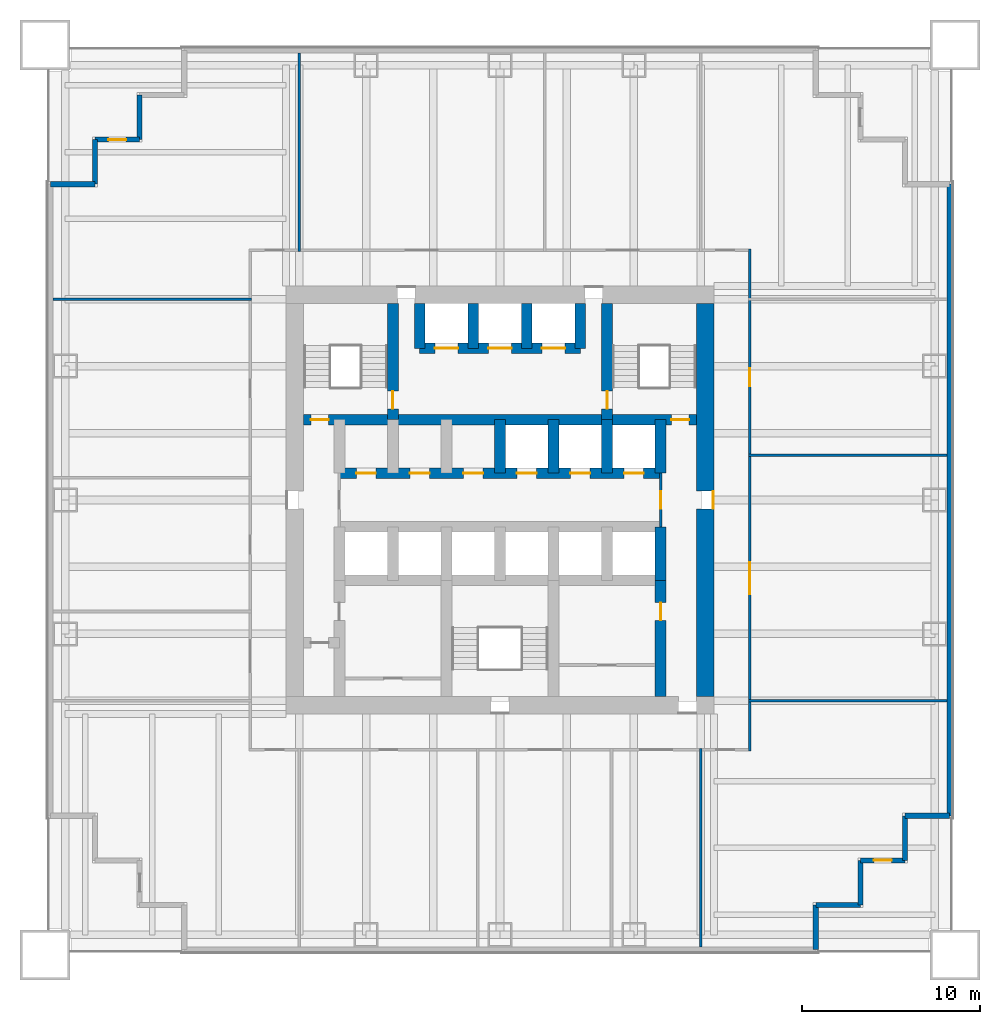
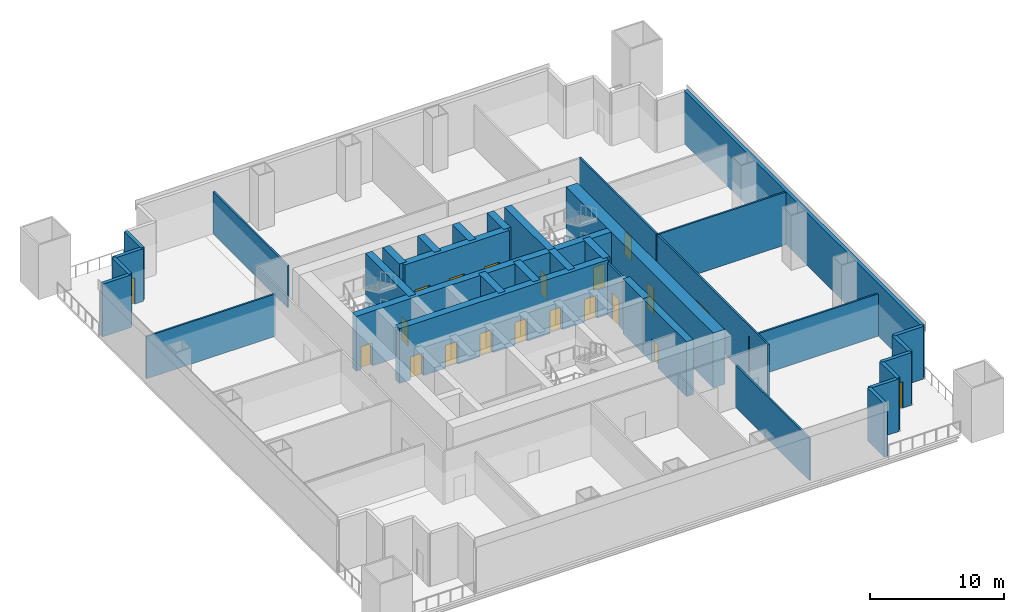
# One storey, part 3 of 6: 34 walls, 20 doors, 20 openings.
"""IFC4 building model written with IfcOpenShell, lengths in metres."""

from ifc_helpers import new_model, si_unit, direction, frame, frame_2d, origin, place, context, subcontext, project, spatial, rectangle, extrude, material, layer, layer_set, type_object, element, fill, save


model = new_model("IFC4")

# Units and contexts
model_context = context("Model", 3, precision=1e-05, world=origin(), true_north=direction((0.0, 1.0)))
body_context = subcontext(model_context, "Body", "Model", "MODEL_VIEW")
ifc_project = project(units=[si_unit("LENGTHUNIT", "METRE"), si_unit("AREAUNIT", "SQUARE_METRE"), si_unit("VOLUMEUNIT", "CUBIC_METRE"), si_unit("PLANEANGLEUNIT", "RADIAN"), si_unit("MASSUNIT", "GRAM", prefix="KILO")], contexts=[model_context])

# Site, building, storey
site_placement = place(None, origin())
site = spatial("IfcSite", under=ifc_project, at=site_placement, CompositionType="ELEMENT")
building_placement = place(site_placement, origin())
building = spatial("IfcBuilding", under=site, at=building_placement, Name="Tarangal Relay Tower", CompositionType="ELEMENT")
storey_placement = place(building_placement, frame((0.0, 0.0, 28.39990234375)))
storey = spatial("IfcBuildingStorey", under=building, at=storey_placement, Name="L05", CompositionType="ELEMENT", Elevation=28.39990234375)

# Wall, openings, doors
ifc_material_1 = material(Name="Concrete fc' 60 MPa", Category="concrete")
ifc_layer_1 = layer(ifc_material_1, 0.60009765625)
ifc_layer_set_1 = layer_set([ifc_layer_1], Name="Core inner wall 600")
wall_type_1 = type_object("IfcWallType", Name="Core inner wall 600", PredefinedType="SHEAR", material=ifc_layer_set_1)
wall_1_placement = place(storey_placement, frame((-11.0, 4.5, 0.0), z_axis=(0.0, 0.0, 1.0), x_axis=(1.0, 0.0, 0.0)))
wall_1 = element("IfcWall", 1, at=wall_1_placement, inside=storey, type_object=wall_type_1, Name="Core wall Y45 L05", PredefinedType="SHEAR", context=body_context, shape_type="SweptSolid", body=[
    extrude(rectangle(XDim=22.0, YDim=0.60009765625, at=frame_2d((11.0, 0.0))), origin(), (0.0, 0.0, 1.0), 5.0),
])
opening_1_placement = place(wall_1_placement, frame((0.39990234375, 0.0, 0.0)))
opening_1 = element("IfcOpeningElement", 2, at=opening_1_placement, cuts=wall_1, Name="Opening FD1", PredefinedType="OPENING", context=body_context, shape_type="SweptSolid", body=[
    extrude(rectangle(XDim=1.0, YDim=2.10009765625, at=frame_2d((0.5, 1.050048828125))), frame((0.0, 0.31005859375, 0.0), z_axis=(0.0, -1.0, 0.0), x_axis=(1.0, 0.0, 0.0)), (0.0, 0.0, 1.0), 0.6201171875),
])
opening_2_placement = place(wall_1_placement, frame((20.60009765625, 0.0, 0.0)))
opening_2 = element("IfcOpeningElement", 3, at=opening_2_placement, cuts=wall_1, Name="Opening FD1", PredefinedType="OPENING", context=body_context, shape_type="SweptSolid", body=[
    extrude(rectangle(XDim=1.0, YDim=2.10009765625, at=frame_2d((0.5, 1.050048828125))), frame((0.0, 0.31005859375, 0.0), z_axis=(0.0, -1.0, 0.0), x_axis=(1.0, 0.0, 0.0)), (0.0, 0.0, 1.0), 0.6201171875),
])
ifc_material_2 = material(Name="Steel door with hardwood frame", Category="steel")
door_type_1 = type_object("IfcDoorType", Name="Fire door 1000 x 2100", OperationType="SINGLE_SWING_LEFT", PredefinedType="DOOR", material=ifc_material_2)
door_1_placement = place(opening_1_placement, origin())
door_1 = element("IfcDoor", 4, at=door_1_placement, inside=storey, type_object=door_type_1, Name="Stair ST-A door from corridor L05", OperationType="SINGLE_SWING_LEFT", OverallHeight=2.10009765625, OverallWidth=1.0, PredefinedType="DOOR", context=body_context, shape_type="SweptSolid", body=[
    extrude(rectangle(XDim=1.0, YDim=2.10009765625, at=frame_2d((0.5, 1.050048828125))), frame((0.0, 0.02490234375, 0.0), z_axis=(0.0, -1.0, 0.0), x_axis=(1.0, 0.0, 0.0)), (0.0, 0.0, 1.0), 0.050048828125),
])
fill(opening_1, door_1)
door_2_placement = place(opening_2_placement, origin())
door_2 = element("IfcDoor", 5, at=door_2_placement, inside=storey, type_object=door_type_1, Name="Stair ST-B door from corridor L05", OperationType="SINGLE_SWING_LEFT", OverallHeight=2.10009765625, OverallWidth=1.0, PredefinedType="DOOR", context=body_context, shape_type="SweptSolid", body=[
    extrude(rectangle(XDim=1.0, YDim=2.10009765625, at=frame_2d((0.5, 1.050048828125))), frame((0.0, 0.02490234375, 0.0), z_axis=(0.0, -1.0, 0.0), x_axis=(1.0, 0.0, 0.0)), (0.0, 0.0, 1.0), 0.050048828125),
])
fill(opening_2, door_2)

wall_2_placement = place(storey_placement, frame((-9.0, 1.5, 0.0), z_axis=(0.0, 0.0, 1.0), x_axis=(1.0, 0.0, 0.0)))
wall_2 = element("IfcWall", 6, at=wall_2_placement, inside=storey, type_object=wall_type_1, Name="Core wall Y15 L05", PredefinedType="SHEAR", context=body_context, shape_type="SweptSolid", body=[
    extrude(rectangle(XDim=18.0, YDim=0.60009765625, at=frame_2d((9.0, 0.0))), origin(), (0.0, 0.0, 1.0), 5.0),
])
opening_3_placement = place(wall_2_placement, frame((9.949951171875, 0.0, 0.0)))
opening_3 = element("IfcOpeningElement", 7, at=opening_3_placement, cuts=wall_2, Name="Opening LD1", PredefinedType="OPENING", context=body_context, shape_type="SweptSolid", body=[
    extrude(rectangle(XDim=1.10009765625, YDim=2.10009765625, at=frame_2d((0.550048828125, 1.050048828125))), frame((0.0, 0.31005859375, 0.0), z_axis=(0.0, -1.0, 0.0), x_axis=(1.0, 0.0, 0.0)), (0.0, 0.0, 1.0), 0.6201171875),
])
opening_4_placement = place(wall_2_placement, frame((12.949951171875, 0.0, 0.0)))
opening_4 = element("IfcOpeningElement", 8, at=opening_4_placement, cuts=wall_2, Name="Opening LD1", PredefinedType="OPENING", context=body_context, shape_type="SweptSolid", body=[
    extrude(rectangle(XDim=1.10009765625, YDim=2.10009765625, at=frame_2d((0.550048828125, 1.050048828125))), frame((0.0, 0.31005859375, 0.0), z_axis=(0.0, -1.0, 0.0), x_axis=(1.0, 0.0, 0.0)), (0.0, 0.0, 1.0), 0.6201171875),
])
opening_5_placement = place(wall_2_placement, frame((15.949951171875, 0.0, 0.0)))
opening_5 = element("IfcOpeningElement", 9, at=opening_5_placement, cuts=wall_2, Name="Opening LD1", PredefinedType="OPENING", context=body_context, shape_type="SweptSolid", body=[
    extrude(rectangle(XDim=1.10009765625, YDim=2.10009765625, at=frame_2d((0.550048828125, 1.050048828125))), frame((0.0, 0.31005859375, 0.0), z_axis=(0.0, -1.0, 0.0), x_axis=(1.0, 0.0, 0.0)), (0.0, 0.0, 1.0), 0.6201171875),
])
opening_6_placement = place(wall_2_placement, frame((0.949951171875, 0.0, 0.0)))
opening_6 = element("IfcOpeningElement", 10, at=opening_6_placement, cuts=wall_2, Name="Opening D4", PredefinedType="OPENING", context=body_context, shape_type="SweptSolid", body=[
    extrude(rectangle(XDim=1.10009765625, YDim=2.10009765625, at=frame_2d((0.550048828125, 1.050048828125))), frame((0.0, 0.31005859375, 0.0), z_axis=(0.0, -1.0, 0.0), x_axis=(1.0, 0.0, 0.0)), (0.0, 0.0, 1.0), 0.6201171875),
])
opening_7_placement = place(wall_2_placement, frame((3.949951171875, 0.0, 0.0)))
opening_7 = element("IfcOpeningElement", 11, at=opening_7_placement, cuts=wall_2, Name="Opening D4", PredefinedType="OPENING", context=body_context, shape_type="SweptSolid", body=[
    extrude(rectangle(XDim=1.10009765625, YDim=2.10009765625, at=frame_2d((0.550048828125, 1.050048828125))), frame((0.0, 0.31005859375, 0.0), z_axis=(0.0, -1.0, 0.0), x_axis=(1.0, 0.0, 0.0)), (0.0, 0.0, 1.0), 0.6201171875),
])
opening_8_placement = place(wall_2_placement, frame((6.949951171875, 0.0, 0.0)))
opening_8 = element("IfcOpeningElement", 12, at=opening_8_placement, cuts=wall_2, Name="Opening D4", PredefinedType="OPENING", context=body_context, shape_type="SweptSolid", body=[
    extrude(rectangle(XDim=1.10009765625, YDim=2.10009765625, at=frame_2d((0.550048828125, 1.050048828125))), frame((0.0, 0.31005859375, 0.0), z_axis=(0.0, -1.0, 0.0), x_axis=(1.0, 0.0, 0.0)), (0.0, 0.0, 1.0), 0.6201171875),
])
door_type_2 = type_object("IfcDoorType", Name="Core room door 1100 x 2100", OperationType="SINGLE_SWING_RIGHT", PredefinedType="DOOR", material=ifc_material_2)
door_3_placement = place(opening_6_placement, origin())
door_3 = element("IfcDoor", 13, at=door_3_placement, inside=storey, type_object=door_type_2, Name="Door D4 to cleaner's store L05-D1", OperationType="SINGLE_SWING_RIGHT", OverallHeight=2.10009765625, OverallWidth=1.10009765625, PredefinedType="DOOR", context=body_context, shape_type="SweptSolid", body=[
    extrude(rectangle(XDim=1.10009765625, YDim=2.10009765625, at=frame_2d((0.550048828125, 1.050048828125))), frame((0.0, 0.02490234375, 0.0), z_axis=(0.0, -1.0, 0.0), x_axis=(1.0, 0.0, 0.0)), (0.0, 0.0, 1.0), 0.050048828125),
])
fill(opening_6, door_3)
door_4_placement = place(opening_7_placement, origin())
door_4 = element("IfcDoor", 14, at=door_4_placement, inside=storey, type_object=door_type_2, Name="Door D4 to it room L05-D2", OperationType="SINGLE_SWING_RIGHT", OverallHeight=2.10009765625, OverallWidth=1.10009765625, PredefinedType="DOOR", context=body_context, shape_type="SweptSolid", body=[
    extrude(rectangle(XDim=1.10009765625, YDim=2.10009765625, at=frame_2d((0.550048828125, 1.050048828125))), frame((0.0, 0.02490234375, 0.0), z_axis=(0.0, -1.0, 0.0), x_axis=(1.0, 0.0, 0.0)), (0.0, 0.0, 1.0), 0.050048828125),
])
fill(opening_7, door_4)
door_5_placement = place(opening_8_placement, origin())
door_5 = element("IfcDoor", 15, at=door_5_placement, inside=storey, type_object=door_type_2, Name="Door D4 to back-of-house plant room L05-D3", OperationType="SINGLE_SWING_RIGHT", OverallHeight=2.10009765625, OverallWidth=1.10009765625, PredefinedType="DOOR", context=body_context, shape_type="SweptSolid", body=[
    extrude(rectangle(XDim=1.10009765625, YDim=2.10009765625, at=frame_2d((0.550048828125, 1.050048828125))), frame((0.0, 0.02490234375, 0.0), z_axis=(0.0, -1.0, 0.0), x_axis=(1.0, 0.0, 0.0)), (0.0, 0.0, 1.0), 0.050048828125),
])
fill(opening_8, door_5)
door_type_3 = type_object("IfcDoorType", Name="Lift landing door 1100 x 2100", OperationType="SLIDING_TO_LEFT", PredefinedType="DOOR", material=ifc_material_2)
door_6_placement = place(opening_3_placement, origin())
door_6 = element("IfcDoor", 16, at=door_6_placement, inside=storey, type_object=door_type_3, Name="Lift T1 landing door L05", OperationType="SLIDING_TO_LEFT", OverallHeight=2.10009765625, OverallWidth=1.10009765625, PredefinedType="DOOR", context=body_context, shape_type="SweptSolid", body=[
    extrude(rectangle(XDim=1.10009765625, YDim=2.10009765625, at=frame_2d((0.550048828125, 1.050048828125))), frame((0.0, 0.02490234375, 0.0), z_axis=(0.0, -1.0, 0.0), x_axis=(1.0, 0.0, 0.0)), (0.0, 0.0, 1.0), 0.050048828125),
])
fill(opening_3, door_6)
door_7_placement = place(opening_4_placement, origin())
door_7 = element("IfcDoor", 17, at=door_7_placement, inside=storey, type_object=door_type_3, Name="Lift T2 landing door L05", OperationType="SLIDING_TO_LEFT", OverallHeight=2.10009765625, OverallWidth=1.10009765625, PredefinedType="DOOR", context=body_context, shape_type="SweptSolid", body=[
    extrude(rectangle(XDim=1.10009765625, YDim=2.10009765625, at=frame_2d((0.550048828125, 1.050048828125))), frame((0.0, 0.02490234375, 0.0), z_axis=(0.0, -1.0, 0.0), x_axis=(1.0, 0.0, 0.0)), (0.0, 0.0, 1.0), 0.050048828125),
])
fill(opening_4, door_7)
door_8_placement = place(opening_5_placement, origin())
door_8 = element("IfcDoor", 18, at=door_8_placement, inside=storey, type_object=door_type_3, Name="Lift T3 landing door L05", OperationType="SLIDING_TO_LEFT", OverallHeight=2.10009765625, OverallWidth=1.10009765625, PredefinedType="DOOR", context=body_context, shape_type="SweptSolid", body=[
    extrude(rectangle(XDim=1.10009765625, YDim=2.10009765625, at=frame_2d((0.550048828125, 1.050048828125))), frame((0.0, 0.02490234375, 0.0), z_axis=(0.0, -1.0, 0.0), x_axis=(1.0, 0.0, 0.0)), (0.0, 0.0, 1.0), 0.050048828125),
])
fill(opening_5, door_8)

wall_3_placement = place(storey_placement, frame((-4.5, 8.5, 0.0), z_axis=(0.0, 0.0, 1.0), x_axis=(1.0, 0.0, 0.0)))
wall_3 = element("IfcWall", 19, at=wall_3_placement, inside=storey, type_object=wall_type_1, Name="Core wall Y85 L05", PredefinedType="SHEAR", context=body_context, shape_type="SweptSolid", body=[
    extrude(rectangle(XDim=9.0, YDim=0.60009765625, at=frame_2d((4.5, 0.0))), origin(), (0.0, 0.0, 1.0), 5.0),
])
opening_9_placement = place(wall_3_placement, frame((0.85009765625, 0.0, 0.0)))
opening_9 = element("IfcOpeningElement", 20, at=opening_9_placement, cuts=wall_3, Name="Opening LD2", PredefinedType="OPENING", context=body_context, shape_type="SweptSolid", body=[
    extrude(rectangle(XDim=1.300048828125, YDim=2.39990234375, at=frame_2d((0.64990234375, 1.199951171875))), frame((0.0, 0.31005859375, 0.0), z_axis=(0.0, -1.0, 0.0), x_axis=(1.0, 0.0, 0.0)), (0.0, 0.0, 1.0), 0.6201171875),
])
opening_10_placement = place(wall_3_placement, frame((6.85009765625, 0.0, 0.0)))
opening_10 = element("IfcOpeningElement", 21, at=opening_10_placement, cuts=wall_3, Name="Opening LD2", PredefinedType="OPENING", context=body_context, shape_type="SweptSolid", body=[
    extrude(rectangle(XDim=1.300048828125, YDim=2.39990234375, at=frame_2d((0.64990234375, 1.199951171875))), frame((0.0, 0.31005859375, 0.0), z_axis=(0.0, -1.0, 0.0), x_axis=(1.0, 0.0, 0.0)), (0.0, 0.0, 1.0), 0.6201171875),
])
opening_11_placement = place(wall_3_placement, frame((3.85009765625, 0.0, 0.0)))
opening_11 = element("IfcOpeningElement", 22, at=opening_11_placement, cuts=wall_3, Name="Opening LD2", PredefinedType="OPENING", context=body_context, shape_type="SweptSolid", body=[
    extrude(rectangle(XDim=1.300048828125, YDim=2.39990234375, at=frame_2d((0.64990234375, 1.199951171875))), frame((0.0, 0.31005859375, 0.0), z_axis=(0.0, -1.0, 0.0), x_axis=(1.0, 0.0, 0.0)), (0.0, 0.0, 1.0), 0.6201171875),
])
door_type_4 = type_object("IfcDoorType", Name="Lift landing door 1300 x 2400", OperationType="SLIDING_TO_LEFT", PredefinedType="DOOR", material=ifc_material_2)
door_9_placement = place(opening_9_placement, origin())
door_9 = element("IfcDoor", 23, at=door_9_placement, inside=storey, type_object=door_type_4, Name="Lift FF1 landing door L05", OperationType="SLIDING_TO_LEFT", OverallHeight=2.39990234375, OverallWidth=1.300048828125, PredefinedType="DOOR", context=body_context, shape_type="SweptSolid", body=[
    extrude(rectangle(XDim=1.300048828125, YDim=2.39990234375, at=frame_2d((0.64990234375, 1.199951171875))), frame((0.0, 0.02490234375, 0.0), z_axis=(0.0, -1.0, 0.0), x_axis=(1.0, 0.0, 0.0)), (0.0, 0.0, 1.0), 0.050048828125),
])
fill(opening_9, door_9)
door_10_placement = place(opening_10_placement, origin())
door_10 = element("IfcDoor", 24, at=door_10_placement, inside=storey, type_object=door_type_4, Name="Lift FF2 landing door L05", OperationType="SLIDING_TO_LEFT", OverallHeight=2.39990234375, OverallWidth=1.300048828125, PredefinedType="DOOR", context=body_context, shape_type="SweptSolid", body=[
    extrude(rectangle(XDim=1.300048828125, YDim=2.39990234375, at=frame_2d((0.64990234375, 1.199951171875))), frame((0.0, 0.02490234375, 0.0), z_axis=(0.0, -1.0, 0.0), x_axis=(1.0, 0.0, 0.0)), (0.0, 0.0, 1.0), 0.050048828125),
])
fill(opening_10, door_10)
door_11_placement = place(opening_11_placement, origin())
door_11 = element("IfcDoor", 25, at=door_11_placement, inside=storey, type_object=door_type_4, Name="Lift SV1 landing door L05", OperationType="SLIDING_TO_LEFT", OverallHeight=2.39990234375, OverallWidth=1.300048828125, PredefinedType="DOOR", context=body_context, shape_type="SweptSolid", body=[
    extrude(rectangle(XDim=1.300048828125, YDim=2.39990234375, at=frame_2d((0.64990234375, 1.199951171875))), frame((0.0, 0.02490234375, 0.0), z_axis=(0.0, -1.0, 0.0), x_axis=(1.0, 0.0, 0.0)), (0.0, 0.0, 1.0), 0.050048828125),
])
fill(opening_11, door_11)

# Walls
for number, where, z_axis, x_axis, name in (
    (26, (9.0, 1.5, 0.0), (0.0, 0.0, 1.0), (0.0, 1.0, 0.0), "Core wall X9N L05"),
    (27, (9.0, -4.5, 0.0), (0.0, 0.0, 1.0), (0.0, 1.0, 0.0), "Core wall X9S L05"),
    (28, (0.0, 1.5, 0.0), (0.0, 0.0, 1.0), (0.0, 1.0, 0.0), "Core wall X0N L05"),
    (29, (3.0, 1.5, 0.0), (0.0, 0.0, 1.0), (0.0, 1.0, 0.0), "Core wall X3N L05"),
    (30, (6.0, 1.5, 0.0), (0.0, 0.0, 1.0), (0.0, 1.0, 0.0), "Core wall X6N L05"),
):
    element("IfcWall", number, at=place(storey_placement, frame(where, z_axis=z_axis, x_axis=x_axis)), inside=storey, type_object=wall_type_1, Name=name, PredefinedType="SHEAR", context=body_context, shape_type="SweptSolid", body=[
        extrude(rectangle(XDim=3.0, YDim=0.60009765625, at=frame_2d((1.5, 0.0))), origin(), (0.0, 0.0, 1.0), 5.0),
    ])

# Wall, opening, door
wall_4_placement = place(storey_placement, frame((-6.0, 4.5, 0.0), z_axis=(0.0, 0.0, 1.0), x_axis=(0.0, 1.0, 0.0)))
wall_4 = element("IfcWall", 31, at=wall_4_placement, inside=storey, type_object=wall_type_1, Name="Core wall XM6 L05", PredefinedType="SHEAR", context=body_context, shape_type="SweptSolid", body=[
    extrude(rectangle(XDim=6.5, YDim=0.60009765625, at=frame_2d((3.25, 0.0))), origin(), (0.0, 0.0, 1.0), 5.0),
])
opening_12_placement = place(wall_4_placement, frame((0.60009765625, 0.0, 0.0)))
opening_12 = element("IfcOpeningElement", 32, at=opening_12_placement, cuts=wall_4, Name="Opening FD1", PredefinedType="OPENING", context=body_context, shape_type="SweptSolid", body=[
    extrude(rectangle(XDim=1.0, YDim=2.10009765625, at=frame_2d((0.5, 1.050048828125))), frame((0.0, 0.31005859375, 0.0), z_axis=(0.0, -1.0, 0.0), x_axis=(1.0, 0.0, 0.0)), (0.0, 0.0, 1.0), 0.6201171875),
])
door_12_placement = place(opening_12_placement, origin())
door_12 = element("IfcDoor", 33, at=door_12_placement, inside=storey, type_object=door_type_1, Name="Stair ST-A door from fire-fighting lobby L05", OperationType="SINGLE_SWING_LEFT", OverallHeight=2.10009765625, OverallWidth=1.0, PredefinedType="DOOR", context=body_context, shape_type="SweptSolid", body=[
    extrude(rectangle(XDim=1.0, YDim=2.10009765625, at=frame_2d((0.5, 1.050048828125))), frame((0.0, 0.02490234375, 0.0), z_axis=(0.0, -1.0, 0.0), x_axis=(1.0, 0.0, 0.0)), (0.0, 0.0, 1.0), 0.050048828125),
])
fill(opening_12, door_12)

wall_5_placement = place(storey_placement, frame((6.0, 4.5, 0.0), z_axis=(0.0, 0.0, 1.0), x_axis=(0.0, 1.0, 0.0)))
wall_5 = element("IfcWall", 34, at=wall_5_placement, inside=storey, type_object=wall_type_1, Name="Core wall X6 L05", PredefinedType="SHEAR", context=body_context, shape_type="SweptSolid", body=[
    extrude(rectangle(XDim=6.5, YDim=0.60009765625, at=frame_2d((3.25, 0.0))), origin(), (0.0, 0.0, 1.0), 5.0),
])
opening_13_placement = place(wall_5_placement, frame((0.60009765625, 0.0, 0.0)))
opening_13 = element("IfcOpeningElement", 35, at=opening_13_placement, cuts=wall_5, Name="Opening FD1", PredefinedType="OPENING", context=body_context, shape_type="SweptSolid", body=[
    extrude(rectangle(XDim=1.0, YDim=2.10009765625, at=frame_2d((0.5, 1.050048828125))), frame((0.0, 0.31005859375, 0.0), z_axis=(0.0, -1.0, 0.0), x_axis=(1.0, 0.0, 0.0)), (0.0, 0.0, 1.0), 0.6201171875),
])
door_13_placement = place(opening_13_placement, origin())
door_13 = element("IfcDoor", 36, at=door_13_placement, inside=storey, type_object=door_type_1, Name="Stair ST-B door from fire-fighting lobby L05", OperationType="SINGLE_SWING_LEFT", OverallHeight=2.10009765625, OverallWidth=1.0, PredefinedType="DOOR", context=body_context, shape_type="SweptSolid", body=[
    extrude(rectangle(XDim=1.0, YDim=2.10009765625, at=frame_2d((0.5, 1.050048828125))), frame((0.0, 0.02490234375, 0.0), z_axis=(0.0, -1.0, 0.0), x_axis=(1.0, 0.0, 0.0)), (0.0, 0.0, 1.0), 0.050048828125),
])
fill(opening_13, door_13)

# Walls
for number, where, z_axis, x_axis, name in (
    (37, (-4.5, 8.5, 0.0), (0.0, 0.0, 1.0), (0.0, 1.0, 0.0), "Core wall XM45 L05"),
    (38, (4.5, 8.5, 0.0), (0.0, 0.0, 1.0), (0.0, 1.0, 0.0), "Core wall X45 L05"),
    (39, (-1.5, 8.5, 0.0), (0.0, 0.0, 1.0), (0.0, 1.0, 0.0), "Core wall XM15 L05"),
    (40, (1.5, 8.5, 0.0), (0.0, 0.0, 1.0), (0.0, 1.0, 0.0), "Core wall X15 L05"),
):
    element("IfcWall", number, at=place(storey_placement, frame(where, z_axis=z_axis, x_axis=x_axis)), inside=storey, type_object=wall_type_1, Name=name, PredefinedType="SHEAR", context=body_context, shape_type="SweptSolid", body=[
        extrude(rectangle(XDim=2.5, YDim=0.60009765625, at=frame_2d((1.25, 0.0))), origin(), (0.0, 0.0, 1.0), 5.0),
    ])

# Wall, opening, door
wall_6_placement = place(storey_placement, frame((9.0, -11.0, 0.0), z_axis=(0.0, 0.0, 1.0), x_axis=(0.0, 1.0, 0.0)))
wall_6 = element("IfcWall", 41, at=wall_6_placement, inside=storey, type_object=wall_type_1, Name="Core wall X9W L05", PredefinedType="SHEAR", context=body_context, shape_type="SweptSolid", body=[
    extrude(rectangle(XDim=6.5, YDim=0.60009765625, at=frame_2d((3.25, 0.0))), origin(), (0.0, 0.0, 1.0), 5.0),
])
opening_14_placement = place(wall_6_placement, frame((4.25, 0.0, 0.0)))
opening_14 = element("IfcOpeningElement", 42, at=opening_14_placement, cuts=wall_6, Name="Opening D1", PredefinedType="OPENING", context=body_context, shape_type="SweptSolid", body=[
    extrude(rectangle(XDim=1.0, YDim=2.10009765625, at=frame_2d((0.5, 1.050048828125))), frame((0.0, 0.31005859375, 0.0), z_axis=(0.0, -1.0, 0.0), x_axis=(1.0, 0.0, 0.0)), (0.0, 0.0, 1.0), 0.6201171875),
])
ifc_material_3 = material(Name="Hardwood door", Category="wood")
door_type_5 = type_object("IfcDoorType", Name="WC door 1000 x 2100", OperationType="SINGLE_SWING_LEFT", PredefinedType="DOOR", material=ifc_material_3)
door_14_placement = place(opening_14_placement, origin())
door_14 = element("IfcDoor", 43, at=door_14_placement, inside=storey, type_object=door_type_5, Name="Female WC door L05", OperationType="SINGLE_SWING_LEFT", OverallHeight=2.10009765625, OverallWidth=1.0, PredefinedType="DOOR", context=body_context, shape_type="SweptSolid", body=[
    extrude(rectangle(XDim=1.0, YDim=2.10009765625, at=frame_2d((0.5, 1.050048828125))), frame((0.0, 0.02490234375, 0.0), z_axis=(0.0, -1.0, 0.0), x_axis=(1.0, 0.0, 0.0)), (0.0, 0.0, 1.0), 0.050048828125),
])
fill(opening_14, door_14)

ifc_layer_2 = layer(ifc_material_1, 1.0)
ifc_layer_set_2 = layer_set([ifc_layer_2], Name="Core wall 1000")
wall_type_2 = type_object("IfcWallType", Name="Core wall 1000", PredefinedType="SHEAR", material=ifc_layer_set_2)
wall_7_placement = place(storey_placement, frame((11.5, 11.0, 0.0), z_axis=(0.0, 0.0, 1.0), x_axis=(0.0, -1.0, 0.0)))
wall_7 = element("IfcWall", 44, at=wall_7_placement, inside=storey, type_object=wall_type_2, Name="Core wall E L05", PredefinedType="SHEAR", context=body_context, shape_type="SweptSolid", body=[
    extrude(rectangle(XDim=22.0, YDim=1.0, at=frame_2d((11.0, 0.0))), origin(), (0.0, 0.0, 1.0), 5.0),
])
opening_15_placement = place(wall_7_placement, frame((10.5, 0.0, 0.0)))
opening_15 = element("IfcOpeningElement", 45, at=opening_15_placement, cuts=wall_7, Name="Opening FD3", PredefinedType="OPENING", context=body_context, shape_type="SweptSolid", body=[
    extrude(rectangle(XDim=1.0, YDim=2.39990234375, at=frame_2d((0.5, 1.199951171875))), frame((0.0, 0.510009765625, 0.0), z_axis=(0.0, -1.0, 0.0), x_axis=(1.0, 0.0, 0.0)), (0.0, 0.0, 1.0), 1.02001953125),
])
door_type_6 = type_object("IfcDoorType", Name="Fire door 1000 x 2400 core entry", OperationType="SINGLE_SWING_RIGHT", PredefinedType="DOOR", material=ifc_material_2)
door_15_placement = place(opening_15_placement, origin())
door_15 = element("IfcDoor", 46, at=door_15_placement, inside=storey, type_object=door_type_6, Name="Core entry door east L05", OperationType="SINGLE_SWING_RIGHT", OverallHeight=2.39990234375, OverallWidth=1.0, PredefinedType="DOOR", context=body_context, shape_type="SweptSolid", body=[
    extrude(rectangle(XDim=1.0, YDim=2.39990234375, at=frame_2d((0.5, 1.199951171875))), frame((0.0, 0.48486328125, 0.0), z_axis=(0.0, -1.0, 0.0), x_axis=(1.0, 0.0, 0.0)), (0.0, 0.0, 1.0), 0.050048828125),
])
fill(opening_15, door_15)

# Walls
ifc_material_4 = material(Name="Insulated precast concrete fc' 40 MPa", Category="concrete")
ifc_layer_3 = layer(ifc_material_4, 0.300048828125)
ifc_layer_set_3 = layer_set([ifc_layer_3], Name="Insulated precast concrete fc' 40 MPa")
wall_type_3 = type_object("IfcWallType", Name="Facade wall precast 300", PredefinedType="SOLIDWALL", material=ifc_layer_set_3)
wall_8_placement = place(storey_placement, frame((25.199951171875, 17.699951171875, 0.0), z_axis=(0.0, 0.0, 1.0), x_axis=(0.0, -1.0, 0.0)))
element("IfcWall", 47, at=wall_8_placement, inside=storey, type_object=wall_type_3, Name="Facade wall E facade L05", PredefinedType="SOLIDWALL", context=body_context, shape_type="SweptSolid", body=[
    extrude(rectangle(XDim=35.39990234375, YDim=0.300048828125, at=frame_2d((17.699951171875, 0.0))), origin(), (0.0, 0.0, 1.0), 4.800048828125),
])
for number, where, z_axis, x_axis, name in (
    (48, (25.199951171875, -17.699951171875, 0.0), (0.0, 0.0, 1.0), (-1.0, 0.0, 0.0), "Facade wall E facade L05"),
    (49, (22.699951171875, -17.699951171875, 0.0), (0.0, 0.0, 1.0), (0.0, -1.0, 0.0), "Facade wall E facade L05"),
):
    element("IfcWall", number, at=place(storey_placement, frame(where, z_axis=z_axis, x_axis=x_axis)), inside=storey, type_object=wall_type_3, Name=name, PredefinedType="SOLIDWALL", context=body_context, shape_type="SweptSolid", body=[
        extrude(rectangle(XDim=2.5, YDim=0.300048828125, at=frame_2d((1.25, 0.0))), origin(), (0.0, 0.0, 1.0), 4.800048828125),
    ])

# Wall, opening, door
wall_9_placement = place(storey_placement, frame((22.699951171875, -20.199951171875, 0.0), z_axis=(0.0, 0.0, 1.0), x_axis=(-1.0, 0.0, 0.0)))
wall_9 = element("IfcWall", 50, at=wall_9_placement, inside=storey, type_object=wall_type_3, Name="Facade wall E facade L05", PredefinedType="SOLIDWALL", context=body_context, shape_type="SweptSolid", body=[
    extrude(rectangle(XDim=2.5, YDim=0.300048828125, at=frame_2d((1.25, 0.0))), origin(), (0.0, 0.0, 1.0), 4.800048828125),
])
opening_16_placement = place(wall_9_placement, frame((0.75, 0.0, 0.0)))
opening_16 = element("IfcOpeningElement", 51, at=opening_16_placement, cuts=wall_9, Name="Opening TD1", PredefinedType="OPENING", context=body_context, shape_type="SweptSolid", body=[
    extrude(rectangle(XDim=1.0, YDim=2.39990234375, at=frame_2d((0.5, 1.199951171875))), frame((0.0, 0.159912109375, 0.0), z_axis=(0.0, -1.0, 0.0), x_axis=(1.0, 0.0, 0.0)), (0.0, 0.0, 1.0), 0.320068359375),
])
ifc_material_5 = material(Name="Aluminium glazed door", Category="aluminium")
door_type_7 = type_object("IfcDoorType", Name="Terrace door 1000 x 2400", OperationType="SINGLE_SWING_RIGHT", PredefinedType="DOOR", material=ifc_material_5)
door_16_placement = place(opening_16_placement, origin())
door_16 = element("IfcDoor", 52, at=door_16_placement, inside=storey, type_object=door_type_7, Name="Terrace door TD1 SE L05", OperationType="SINGLE_SWING_RIGHT", OverallHeight=2.39990234375, OverallWidth=1.0, PredefinedType="DOOR", context=body_context, shape_type="SweptSolid", body=[
    extrude(rectangle(XDim=1.0, YDim=2.39990234375, at=frame_2d((0.5, 1.199951171875))), frame((0.0, 0.02490234375, 0.0), z_axis=(0.0, -1.0, 0.0), x_axis=(1.0, 0.0, 0.0)), (0.0, 0.0, 1.0), 0.050048828125),
])
fill(opening_16, door_16)

# Walls
for number, where, z_axis, x_axis, name in (
    (53, (20.199951171875, -20.199951171875, 0.0), (0.0, 0.0, 1.0), (0.0, -1.0, 0.0), "Facade wall E facade L05"),
    (54, (20.199951171875, -22.699951171875, 0.0), (0.0, 0.0, 1.0), (-1.0, 0.0, 0.0), "Facade wall E facade L05"),
    (55, (17.699951171875, -22.699951171875, 0.0), (0.0, 0.0, 1.0), (0.0, -1.0, 0.0), "Facade wall E facade L05"),
    (56, (-25.199951171875, 17.699951171875, 0.0), (0.0, 0.0, 1.0), (1.0, 0.0, 0.0), "Facade wall W facade L05"),
    (57, (-22.699951171875, 17.699951171875, 0.0), (0.0, 0.0, 1.0), (0.0, 1.0, 0.0), "Facade wall W facade L05"),
):
    element("IfcWall", number, at=place(storey_placement, frame(where, z_axis=z_axis, x_axis=x_axis)), inside=storey, type_object=wall_type_3, Name=name, PredefinedType="SOLIDWALL", context=body_context, shape_type="SweptSolid", body=[
        extrude(rectangle(XDim=2.5, YDim=0.300048828125, at=frame_2d((1.25, 0.0))), origin(), (0.0, 0.0, 1.0), 4.800048828125),
    ])

# Wall, opening, door
wall_10_placement = place(storey_placement, frame((-22.699951171875, 20.199951171875, 0.0), z_axis=(0.0, 0.0, 1.0), x_axis=(1.0, 0.0, 0.0)))
wall_10 = element("IfcWall", 58, at=wall_10_placement, inside=storey, type_object=wall_type_3, Name="Facade wall W facade L05", PredefinedType="SOLIDWALL", context=body_context, shape_type="SweptSolid", body=[
    extrude(rectangle(XDim=2.5, YDim=0.300048828125, at=frame_2d((1.25, 0.0))), origin(), (0.0, 0.0, 1.0), 4.800048828125),
])
opening_17_placement = place(wall_10_placement, frame((0.75, 0.0, 0.0)))
opening_17 = element("IfcOpeningElement", 59, at=opening_17_placement, cuts=wall_10, Name="Opening TD1", PredefinedType="OPENING", context=body_context, shape_type="SweptSolid", body=[
    extrude(rectangle(XDim=1.0, YDim=2.39990234375, at=frame_2d((0.5, 1.199951171875))), frame((0.0, 0.159912109375, 0.0), z_axis=(0.0, -1.0, 0.0), x_axis=(1.0, 0.0, 0.0)), (0.0, 0.0, 1.0), 0.320068359375),
])
door_17_placement = place(opening_17_placement, origin())
door_17 = element("IfcDoor", 60, at=door_17_placement, inside=storey, type_object=door_type_7, Name="Terrace door TD1 NW L05", OperationType="SINGLE_SWING_RIGHT", OverallHeight=2.39990234375, OverallWidth=1.0, PredefinedType="DOOR", context=body_context, shape_type="SweptSolid", body=[
    extrude(rectangle(XDim=1.0, YDim=2.39990234375, at=frame_2d((0.5, 1.199951171875))), frame((0.0, 0.02490234375, 0.0), z_axis=(0.0, -1.0, 0.0), x_axis=(1.0, 0.0, 0.0)), (0.0, 0.0, 1.0), 0.050048828125),
])
fill(opening_17, door_17)

# Walls
wall_11_placement = place(storey_placement, frame((-20.199951171875, 20.199951171875, 0.0), z_axis=(0.0, 0.0, 1.0), x_axis=(0.0, 1.0, 0.0)))
element("IfcWall", 61, at=wall_11_placement, inside=storey, type_object=wall_type_3, Name="Facade wall W facade L05", PredefinedType="SOLIDWALL", context=body_context, shape_type="SweptSolid", body=[
    extrude(rectangle(XDim=2.5, YDim=0.300048828125, at=frame_2d((1.25, 0.0))), origin(), (0.0, 0.0, 1.0), 4.800048828125),
])
ifc_material_6 = material(Name="Gypsum board on steel studs", Category="steel")
ifc_layer_4 = layer(ifc_material_6, 0.14990234375)
ifc_layer_set_4 = layer_set([ifc_layer_4], Name="Partition 150")
wall_type_4 = type_object("IfcWallType", Name="Partition 150", PredefinedType="PARTITIONING", material=ifc_layer_set_4)
wall_12_placement = place(storey_placement, frame((13.925048828125, -11.25, 0.0), z_axis=(0.0, 0.0, 1.0), x_axis=(1.0, 0.0, 0.0)))
element("IfcWall", 62, at=wall_12_placement, inside=storey, type_object=wall_type_4, Name="Partition PT1 L05", PredefinedType="PARTITIONING", context=body_context, shape_type="SweptSolid", body=[
    extrude(rectangle(XDim=11.125, YDim=0.14990234375, at=frame_2d((5.5625, 0.0))), origin(), (0.0, 0.0, 1.0), 3.852783203125),
])
wall_13_placement = place(storey_placement, frame((13.925048828125, 2.5, 0.0), z_axis=(0.0, 0.0, 1.0), x_axis=(1.0, 0.0, 0.0)))
element("IfcWall", 63, at=wall_13_placement, inside=storey, type_object=wall_type_4, Name="Partition PT1 L05", PredefinedType="PARTITIONING", context=body_context, shape_type="SweptSolid", body=[
    extrude(rectangle(XDim=11.125, YDim=0.14990234375, at=frame_2d((5.5625, 0.0))), origin(), (0.0, 0.0, 1.0), 4.800048828125),
])
for number, where, z_axis, x_axis, name in (
    (64, (-25.050048828125, 11.25, 0.0), (0.0, 0.0, 1.0), (1.0, 0.0, 0.0), "Partition PT1 L05"),
    (65, (-11.25, 13.925048828125, 0.0), (0.0, 0.0, 1.0), (0.0, 1.0, 0.0), "Partition PT1 L05"),
    (66, (11.25, -25.050048828125, 0.0), (0.0, 0.0, 1.0), (0.0, 1.0, 0.0), "Partition PT1 L05"),
):
    element("IfcWall", number, at=place(storey_placement, frame(where, z_axis=z_axis, x_axis=x_axis)), inside=storey, type_object=wall_type_4, Name=name, PredefinedType="PARTITIONING", context=body_context, shape_type="SweptSolid", body=[
        extrude(rectangle(XDim=11.125, YDim=0.14990234375, at=frame_2d((5.5625, 0.0))), origin(), (0.0, 0.0, 1.0), 3.852783203125),
    ])

# Wall, openings, doors
wall_14_placement = place(storey_placement, frame((14.0, -14.074951171875, 0.0), z_axis=(0.0, 0.0, 1.0), x_axis=(0.0, 1.0, 0.0)))
wall_14 = element("IfcWall", 67, at=wall_14_placement, inside=storey, type_object=wall_type_4, Name="Partition PT1 L05", PredefinedType="PARTITIONING", context=body_context, shape_type="SweptSolid", body=[
    extrude(rectangle(XDim=28.14990234375, YDim=0.14990234375, at=frame_2d((14.074951171875, 0.0))), origin(), (0.0, 0.0, 1.0), 4.800048828125),
])
opening_18_placement = place(wall_14_placement, frame((20.449951171875, 0.0, 0.0)))
opening_18 = element("IfcOpeningElement", 68, at=opening_18_placement, cuts=wall_14, Name="Opening D2", PredefinedType="OPENING", context=body_context, shape_type="SweptSolid", body=[
    extrude(rectangle(XDim=1.0, YDim=2.10009765625, at=frame_2d((0.5, 1.050048828125))), frame((0.0, 0.0849609375, 0.0), z_axis=(0.0, -1.0, 0.0), x_axis=(1.0, 0.0, 0.0)), (0.0, 0.0, 1.0), 0.169921875),
])
opening_19_placement = place(wall_14_placement, frame((8.800048828125, 0.0, 0.0)))
opening_19 = element("IfcOpeningElement", 69, at=opening_19_placement, cuts=wall_14, Name="Opening DD1", PredefinedType="OPENING", context=body_context, shape_type="SweptSolid", body=[
    extrude(rectangle(XDim=1.800048828125, YDim=2.39990234375, at=frame_2d((0.89990234375, 1.199951171875))), frame((0.0, 0.0849609375, 0.0), z_axis=(0.0, -1.0, 0.0), x_axis=(1.0, 0.0, 0.0)), (0.0, 0.0, 1.0), 0.169921875),
])
door_type_8 = type_object("IfcDoorType", Name="Door 1000 x 2100", OperationType="SINGLE_SWING_LEFT", PredefinedType="DOOR", material=ifc_material_3)
door_18_placement = place(opening_18_placement, origin())
door_18 = element("IfcDoor", 70, at=door_18_placement, inside=storey, type_object=door_type_8, Name="Door D2 to customer office L05-04", OperationType="SINGLE_SWING_LEFT", OverallHeight=2.10009765625, OverallWidth=1.0, PredefinedType="DOOR", context=body_context, shape_type="SweptSolid", body=[
    extrude(rectangle(XDim=1.0, YDim=2.10009765625, at=frame_2d((0.5, 1.050048828125))), frame((0.0, 0.02490234375, 0.0), z_axis=(0.0, -1.0, 0.0), x_axis=(1.0, 0.0, 0.0)), (0.0, 0.0, 1.0), 0.050048828125),
])
fill(opening_18, door_18)
door_type_9 = type_object("IfcDoorType", Name="Equipment double door 1800 x 2400", OperationType="DOUBLE_DOOR_SINGLE_SWING", PredefinedType="DOOR", material=ifc_material_2)
door_19_placement = place(opening_19_placement, origin())
door_19 = element("IfcDoor", 71, at=door_19_placement, inside=storey, type_object=door_type_9, Name="Door DD1 to data hall L05-05", OperationType="DOUBLE_DOOR_SINGLE_SWING", OverallHeight=2.39990234375, OverallWidth=1.800048828125, PredefinedType="DOOR", context=body_context, shape_type="SweptSolid", body=[
    extrude(rectangle(XDim=1.800048828125, YDim=2.39990234375, at=frame_2d((0.89990234375, 1.199951171875))), frame((0.0, 0.02490234375, 0.0), z_axis=(0.0, -1.0, 0.0), x_axis=(1.0, 0.0, 0.0)), (0.0, 0.0, 1.0), 0.050048828125),
])
fill(opening_19, door_19)

# Wall, opening, door
wall_15_placement = place(storey_placement, frame((9.0, -1.5, 0.0), z_axis=(0.0, 0.0, 1.0), x_axis=(0.0, 1.0, 0.0)))
wall_15 = element("IfcWall", 72, at=wall_15_placement, inside=storey, type_object=wall_type_4, Name="Partition PT1 L05", PredefinedType="PARTITIONING", context=body_context, shape_type="SweptSolid", body=[
    extrude(rectangle(XDim=3.0, YDim=0.14990234375, at=frame_2d((1.5, 0.0))), origin(), (0.0, 0.0, 1.0), 4.75),
])
opening_20_placement = place(wall_15_placement, frame((1.0, 0.0, 0.0)))
opening_20 = element("IfcOpeningElement", 73, at=opening_20_placement, cuts=wall_15, Name="Opening FD3", PredefinedType="OPENING", context=body_context, shape_type="SweptSolid", body=[
    extrude(rectangle(XDim=1.0, YDim=2.39990234375, at=frame_2d((0.5, 1.199951171875))), frame((0.0, 0.0849609375, 0.0), z_axis=(0.0, -1.0, 0.0), x_axis=(1.0, 0.0, 0.0)), (0.0, 0.0, 1.0), 0.169921875),
])
door_20_placement = place(opening_20_placement, origin())
door_20 = element("IfcDoor", 74, at=door_20_placement, inside=storey, type_object=door_type_6, Name="Lift lobby door FD3 to the east corridor L05", OperationType="SINGLE_SWING_RIGHT", OverallHeight=2.39990234375, OverallWidth=1.0, PredefinedType="DOOR", context=body_context, shape_type="SweptSolid", body=[
    extrude(rectangle(XDim=1.0, YDim=2.39990234375, at=frame_2d((0.5, 1.199951171875))), frame((0.0, 0.02490234375, 0.0), z_axis=(0.0, -1.0, 0.0), x_axis=(1.0, 0.0, 0.0)), (0.0, 0.0, 1.0), 0.050048828125),
])
fill(opening_20, door_20)

save(model, "model.ifc")
